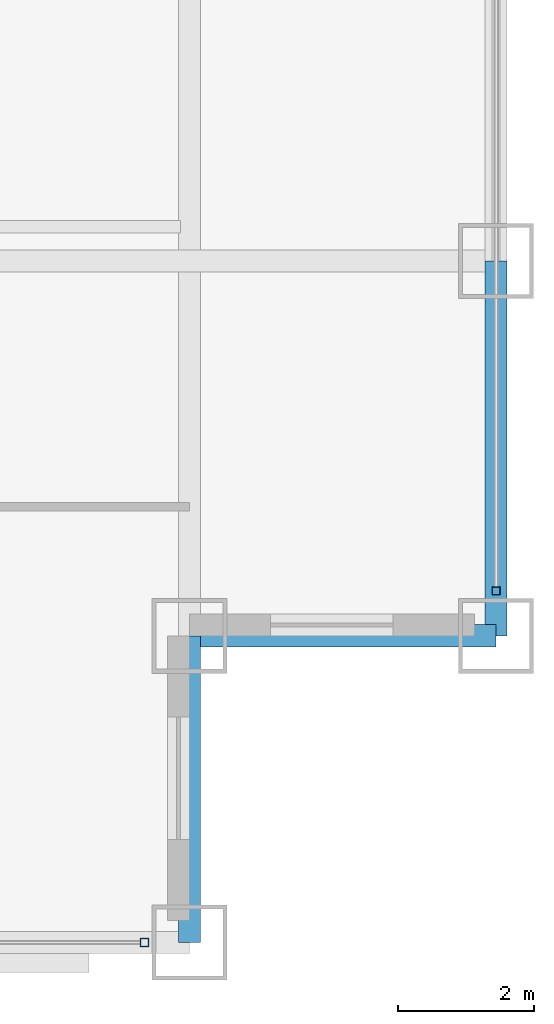
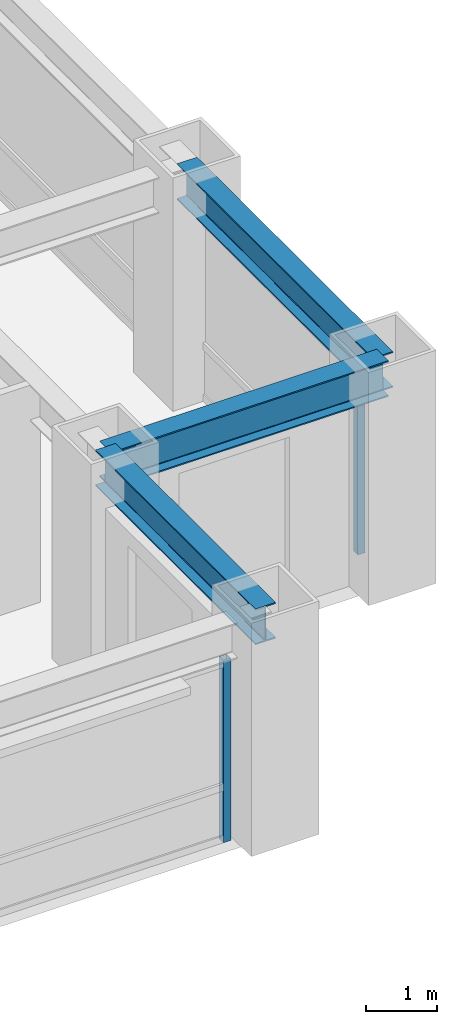
# One storey, part 8 of 28: 3 beams, 2 members, 2 elements without a shape of their own.
"""IFC4 building model written with IfcOpenShell, lengths in metres."""

import ifcopenshell
import ifcopenshell.guid

model = None  # the IFC model being written
_history = None  # IfcOwnerHistory: only IFC2X3 demands one
_inside = {}  # id of a spatial element -> (the spatial element, [elements in it])
_under = {}  # id of a project, library or spatial element -> (it, [spatial elements below it])
_declared = {}  # id of a project -> (the project, [libraries it declares])
_typed = {}  # id of a type object -> (the type object, [elements of that type])
_made_of = {}  # id of a material, layer set ... -> (it, [elements and type objects made of it])


def new_model(schema):
    """Start an empty IFC model of exactly this schema.

    Asked for "IFC4X3", IfcOpenShell would pick the latest addendum, in which some entities
    have other attributes; the version numbers below select the first issue.
    IFC2X3 requires an IfcOwnerHistory on every rooted entity: one is made here for all.
    """
    global model, _history
    if schema == "IFC4X3":
        model = ifcopenshell.file(schema_version=(4, 3, 0, 0))
    else:
        model = ifcopenshell.file(schema=schema)
    _inside.clear()
    _under.clear()
    _declared.clear()
    _typed.clear()
    _made_of.clear()
    _history = None
    if model.schema == "IFC2X3":
        org = make("IfcOrganization", Name="unknown")
        user = make(
            "IfcPersonAndOrganization",
            ThePerson=make("IfcPerson", FamilyName="unknown"),
            TheOrganization=org,
        )
        app = make(
            "IfcApplication",
            ApplicationDeveloper=org,
            Version="unknown",
            ApplicationFullName="unknown",
            ApplicationIdentifier="unknown",
        )
        _history = make(
            "IfcOwnerHistory",
            OwningUser=user,
            OwningApplication=app,
            ChangeAction="ADDED",
            CreationDate=0,
        )
    return model


def make(cls, **values):
    """One entity of the class cls with the attributes given. An attribute that is None is left unset."""
    return model.create_entity(
        cls, **{name: value for name, value in values.items() if value is not None}
    )


def rooted(cls, **values):
    """An entity with a GlobalId (a new one), such as an element, a storey or a relation."""
    return make(cls, GlobalId=ifcopenshell.guid.new(), OwnerHistory=_history, **values)


def si_unit(unit_type, name, prefix=None):
    """IfcSIUnit, for example si_unit("LENGTHUNIT", "METRE", prefix="MILLI")."""
    return make("IfcSIUnit", UnitType=unit_type, Prefix=prefix, Name=name)


def assignment(units):
    """IfcUnitAssignment: the units of a project."""
    return None if units is None else make("IfcUnitAssignment", Units=units)


def point(xyz):
    """IfcCartesianPoint."""
    return None if xyz is None else make("IfcCartesianPoint", Coordinates=xyz)


def direction(xyz):
    """IfcDirection."""
    return None if xyz is None else make("IfcDirection", DirectionRatios=xyz)


def frame(location, z_axis=None, x_axis=None):
    """IfcAxis2Placement3D, a coordinate frame: its origin and axes. An axis left out is left unset."""
    return make(
        "IfcAxis2Placement3D",
        Location=point(location),
        Axis=direction(z_axis),
        RefDirection=direction(x_axis),
    )


def frame_2d(location, x_axis=None):
    """IfcAxis2Placement2D, a coordinate frame in the plane: its origin and x axis."""
    return make(
        "IfcAxis2Placement2D", Location=point(location), RefDirection=direction(x_axis)
    )


def origin():
    """The frame at (0, 0, 0) with its axes left unset."""
    return frame((0.0, 0.0, 0.0))


def origin_2d():
    """The frame at (0, 0) in the plane with its x axis left unset."""
    return frame_2d((0.0, 0.0))


def place(relative_to, where):
    """IfcLocalPlacement: puts the frame where relative to a parent placement (None: the world)."""
    return make(
        "IfcLocalPlacement", PlacementRelTo=relative_to, RelativePlacement=where
    )


def context(
    kind, dimensions, precision=None, world=None, true_north=None, identifier=None
):
    """IfcGeometricRepresentationContext, for example the 3D "Model" context."""
    return make(
        "IfcGeometricRepresentationContext",
        ContextIdentifier=identifier,
        ContextType=kind,
        CoordinateSpaceDimension=dimensions,
        Precision=precision,
        WorldCoordinateSystem=world,
        TrueNorth=true_north,
    )


def subcontext(parent, identifier, kind, view, scale=None):
    """IfcGeometricRepresentationSubContext, for example "Body" below "Model"."""
    return make(
        "IfcGeometricRepresentationSubContext",
        ContextIdentifier=identifier,
        ContextType=kind,
        ParentContext=parent,
        TargetScale=scale,
        TargetView=view,
    )


def project(units=None, contexts=None):
    """IfcProject with its units and contexts."""
    return rooted(
        "IfcProject",
        Name="project",
        RepresentationContexts=contexts,
        UnitsInContext=assignment(units),
    )


def spatial(cls, under=None, at=None, **own):
    """A site, building, storey or space (cls), placed at a placement, below another one or the project."""
    s = rooted(cls, ObjectPlacement=at, **own)
    if under is not None:
        _under.setdefault(under.id(), (under, []))[1].append(s)
    return s


def profile(cls, at=None, kind="AREA", **sizes):
    """A parametric profile (cls). Its sizes go by their IFC names, for example OverallWidth=200.0."""
    return make(cls, ProfileType=kind, Position=at, **sizes)


def hollow_rectangle(**sizes):
    """IfcRectangleHollowProfileDef."""
    return profile("IfcRectangleHollowProfileDef", **sizes)


def i_section(**sizes):
    """IfcIShapeProfileDef."""
    return profile("IfcIShapeProfileDef", **sizes)


def extrude(swept, where, along, depth):
    """IfcExtrudedAreaSolid: the profile swept, set in the frame where, extruded along a direction by depth."""
    return make(
        "IfcExtrudedAreaSolid",
        SweptArea=swept,
        Position=where,
        ExtrudedDirection=direction(along),
        Depth=depth,
    )


def shape(context_of_items, identifier, shape_type, items):
    """IfcShapeRepresentation: the items that make up one representation, for example the "Body"."""
    return make(
        "IfcShapeRepresentation",
        ContextOfItems=context_of_items,
        RepresentationIdentifier=identifier,
        RepresentationType=shape_type,
        Items=items,
    )


def source(mapping_origin, context_of_items, identifier, shape_type, items):
    """IfcRepresentationMap: a shape defined once, which mapped items show again and again."""
    return make(
        "IfcRepresentationMap",
        MappingOrigin=mapping_origin,
        MappedRepresentation=shape(context_of_items, identifier, shape_type, items),
    )


def transform(
    local_origin,
    x_axis=None,
    y_axis=None,
    z_axis=None,
    scale=None,
    scale2=None,
    scale3=None,
    uniform=True,
):
    """IfcCartesianTransformationOperator3D, or its non-uniform kind. x_axis, y_axis, z_axis: its Axis1, 2, 3."""
    if uniform:
        return make(
            "IfcCartesianTransformationOperator3D",
            Axis1=direction(x_axis),
            Axis2=direction(y_axis),
            LocalOrigin=point(local_origin),
            Scale=scale,
            Axis3=direction(z_axis),
        )
    return make(
        "IfcCartesianTransformationOperator3DnonUniform",
        Axis1=direction(x_axis),
        Axis2=direction(y_axis),
        LocalOrigin=point(local_origin),
        Scale=scale,
        Axis3=direction(z_axis),
        Scale2=scale2,
        Scale3=scale3,
    )


def mapped(mapping_source, mapping_target):
    """IfcMappedItem: shows the shape of a source again, moved by a transform."""
    return make(
        "IfcMappedItem", MappingSource=mapping_source, MappingTarget=mapping_target
    )


def material(Name=None, Category=None):
    """IfcMaterial."""
    return make("IfcMaterial", Name=Name, Category=Category)


def material_profile(
    of_material, cross_section, Name=None, Category=None, Priority=None
):
    """IfcMaterialProfile: a cross section and its material."""
    return make(
        "IfcMaterialProfile",
        Name=Name,
        Material=of_material,
        Profile=cross_section,
        Priority=Priority,
        Category=Category,
    )


def profile_set(profiles, Name=None, composite=None):
    """IfcMaterialProfileSet."""
    return make(
        "IfcMaterialProfileSet",
        Name=Name,
        MaterialProfiles=profiles,
        CompositeProfile=composite,
    )


def made_of(thing, what):
    """Note that an element or type object is made of a material, layer set ...; save() writes the relation."""
    if what is not None:
        _made_of.setdefault(what.id(), (what, []))[1].append(thing)
    return thing


def type_object(cls, material=None, **own):
    """A type object (cls), such as IfcWallType, which elements share."""
    return made_of(rooted(cls, **own), material)


def element(
    cls,
    number,
    at=None,
    inside=None,
    cuts=None,
    type_object=None,
    material=None,
    context=None,
    identifier="Body",
    shape_type=None,
    held_by="IfcProductDefinitionShape",
    body=None,
    shapes=None,
    **own,
):
    """One element of the class cls, such as IfcWall. Its Tag is "e" and its number.

    at: its placement. inside: the storey or other place that contains it. cuts: it is an
    opening in that element (IfcRelVoidsElement). A single representation is given by context,
    identifier, shape_type and body (its items); several are given by shapes. held_by: the class
    of the entity that holds the representations. save() writes the other relations.
    """
    e = rooted(cls, Tag="e%d" % number, ObjectPlacement=at, **own)
    if body is not None:
        shapes = [shape(context, identifier, shape_type, body)]
    if shapes is not None:
        e.Representation = make(held_by, Representations=shapes)
    if inside is not None:
        _inside.setdefault(inside.id(), (inside, []))[1].append(e)
    if cuts is not None:
        rooted(
            "IfcRelVoidsElement", RelatingBuildingElement=cuts, RelatedOpeningElement=e
        )
    if type_object is not None:
        _typed.setdefault(type_object.id(), (type_object, []))[1].append(e)
    return made_of(e, material)


def aggregate(whole, parts):
    """IfcRelAggregates: a whole, such as a stair, and the parts it consists of."""
    return rooted("IfcRelAggregates", RelatingObject=whole, RelatedObjects=parts)


def save(model, path):
    """Write the relations noted so far, then the file.

    IfcRelAggregates (storeys below a building ...), IfcRelContainedInSpatialStructure (elements
    in a storey), IfcRelDefinesByType, IfcRelAssociatesMaterial and IfcRelDeclares: one each for
    every whole, place, type object, material and project.
    """
    for whole, parts in _under.values():
        aggregate(whole, parts)
    for where, things in _inside.values():
        rooted(
            "IfcRelContainedInSpatialStructure",
            RelatedElements=things,
            RelatingStructure=where,
        )
    for kind, things in _typed.values():
        rooted("IfcRelDefinesByType", RelatedObjects=things, RelatingType=kind)
    for what, things in _made_of.values():
        rooted("IfcRelAssociatesMaterial", RelatedObjects=things, RelatingMaterial=what)
    for by, libraries in _declared.values():
        rooted("IfcRelDeclares", RelatingContext=by, RelatedDefinitions=libraries)
    model.write(path)


model = new_model("IFC4")

# Units and contexts
model_context = context("Model", 3, precision=1e-05, world=origin(), true_north=direction((0.0, 1.0)))
body_context = subcontext(model_context, "Body", "Model", "MODEL_VIEW")
ifc_project = project(units=[si_unit("LENGTHUNIT", "METRE"), si_unit("AREAUNIT", "SQUARE_METRE"), si_unit("VOLUMEUNIT", "CUBIC_METRE"), si_unit("PLANEANGLEUNIT", "RADIAN"), si_unit("MASSUNIT", "GRAM", prefix="KILO")], contexts=[model_context])

# Site, building, storey
site_placement = place(None, origin())
site = spatial("IfcSite", under=ifc_project, at=site_placement, CompositionType="ELEMENT")
building_placement = place(site_placement, origin())
building = spatial("IfcBuilding", under=site, at=building_placement, Name="Khorayat Bourse Tower", CompositionType="ELEMENT")
storey_placement = place(building_placement, frame((0.0, 0.0, 183.10009765625)))
storey = spatial("IfcBuildingStorey", under=building, at=storey_placement, Name="L42", CompositionType="ELEMENT", Elevation=183.10009765625)

# Beams
ifc_material_1 = material(Name="Steel ASTM A992 Grade 50", Category="steel")
ifc_material_profile_1 = material_profile(ifc_material_1, i_section(OverallWidth=0.324951171875, OverallDepth=0.615966796875, WebThickness=0.013916015625, FlangeThickness=0.021484375, FilletRadius=0.01611328125, at=origin_2d()), Name="W610X174")
ifc_profile_set_1 = profile_set([ifc_material_profile_1], Name="Steel ASTM A992 Grade 50")
beam_type = type_object("IfcBeamType", Name="BM-SPAN-610", PredefinedType="SPANDREL", material=ifc_profile_set_1)
shared_shape_1 = source(origin(), body_context, "Body", "SweptSolid", [
    extrude(i_section(OverallWidth=0.324951171875, OverallDepth=0.615966796875, WebThickness=0.013916015625, FlangeThickness=0.021484375, FilletRadius=0.01611328125, at=origin_2d()), origin(), (0.0, 0.0, 1.0), 5.5),
])
beam_placement = place(storey_placement, frame((30.0, -25.5, 3.471923828125), z_axis=(0.0, 1.0, 0.0), x_axis=(-1.0, 0.0, 0.0)))
element("IfcBeam", 1, at=beam_placement, inside=storey, type_object=beam_type, Name="L42 BM-SPAN-610 BM-L42-SPN-034", PredefinedType="SPANDREL", context=body_context, shape_type="MappedRepresentation", body=[
    mapped(shared_shape_1, transform((0.0, 0.0, 0.0), scale=1.0)),
])
shared_shape_2 = source(origin(), body_context, "Body", "SweptSolid", [
    extrude(i_section(OverallWidth=0.324951171875, OverallDepth=0.615966796875, WebThickness=0.013916015625, FlangeThickness=0.021484375, FilletRadius=0.01611328125, at=origin_2d()), origin(), (0.0, 0.0, 1.0), 4.5),
])
for number, where, z_axis, x_axis, name in (
    (2, (25.5, -30.0, 3.471923828125), (0.0, 1.0, 0.0), (-1.0, 0.0, 0.0), "L42 BM-SPAN-610 BM-L42-SPN-032"),
    (3, (25.5, -25.5, 3.471923828125), (1.0, 0.0, 0.0), (0.0, 1.0, 0.0), "L42 BM-SPAN-610 BM-L42-SPN-033"),
):
    element("IfcBeam", number, at=place(storey_placement, frame(where, z_axis=z_axis, x_axis=x_axis)), inside=storey, type_object=beam_type, Name=name, PredefinedType="SPANDREL", context=body_context, shape_type="MappedRepresentation", body=[
        mapped(shared_shape_2, transform((0.0, 0.0, 0.0), scale=1.0)),
    ])

# Curtain wall, member
ifc_material_2 = material(Name="Aluminium EN AW-6063 T6", Category="aluminium")
curtain_wall_type = type_object("IfcCurtainWallType", Name="CW-SYS-03", PredefinedType="NOTDEFINED", material=ifc_material_2)
curtain_wall_1_placement = place(storey_placement, origin())
curtain_wall_1 = element("IfcCurtainWall", 4, at=curtain_wall_1_placement, inside=storey, type_object=curtain_wall_type, Name="L42 Curtain Wall CW-L42-S1", PredefinedType="NOTDEFINED")
ifc_material_profile_2 = material_profile(ifc_material_2, hollow_rectangle(XDim=0.1201171875, YDim=0.1201171875, WallThickness=0.0048828125, at=origin_2d()), Name="ALU 120x120x5")
ifc_profile_set_2 = profile_set([ifc_material_profile_2], Name="Aluminium EN AW-6063 T6")
member_type = type_object("IfcMemberType", Name="CWM-VERT-120", PredefinedType="MULLION", material=ifc_profile_set_2)
shared_shape_3 = source(origin(), body_context, "Body", "SweptSolid", [
    extrude(hollow_rectangle(XDim=0.1201171875, YDim=0.1201171875, WallThickness=0.0048828125, at=origin_2d()), origin(), (0.0, 0.0, 1.0), 3.1298828125),
])
member_1_placement = place(storey_placement, frame((24.840087890625, -30.0, 0.0), z_axis=(0.0, 0.0, 1.0), x_axis=(0.0, 1.0, 0.0)))
member_1 = element("IfcMember", 5, at=member_1_placement, type_object=member_type, Name="CW-L42-S1 Vertical Mullion 3", PredefinedType="MULLION", context=body_context, shape_type="MappedRepresentation", body=[
    mapped(shared_shape_3, transform((0.0, 0.0, 0.0), scale=1.0)),
])
aggregate(curtain_wall_1, [member_1])

curtain_wall_2_placement = place(storey_placement, origin())
curtain_wall_2 = element("IfcCurtainWall", 6, at=curtain_wall_2_placement, inside=storey, type_object=curtain_wall_type, Name="L42 Curtain Wall CW-L42-E1", PredefinedType="NOTDEFINED")
member_2_placement = place(storey_placement, frame((30.0, -24.840087890625, 0.0), z_axis=(0.0, 0.0, 1.0), x_axis=(-1.0, 0.0, 0.0)))
member_2 = element("IfcMember", 7, at=member_2_placement, type_object=member_type, Name="CW-L42-E1 Vertical Mullion 1", PredefinedType="MULLION", context=body_context, shape_type="MappedRepresentation", body=[
    mapped(shared_shape_3, transform((0.0, 0.0, 0.0), scale=1.0)),
])
aggregate(curtain_wall_2, [member_2])

save(model, "model.ifc")
